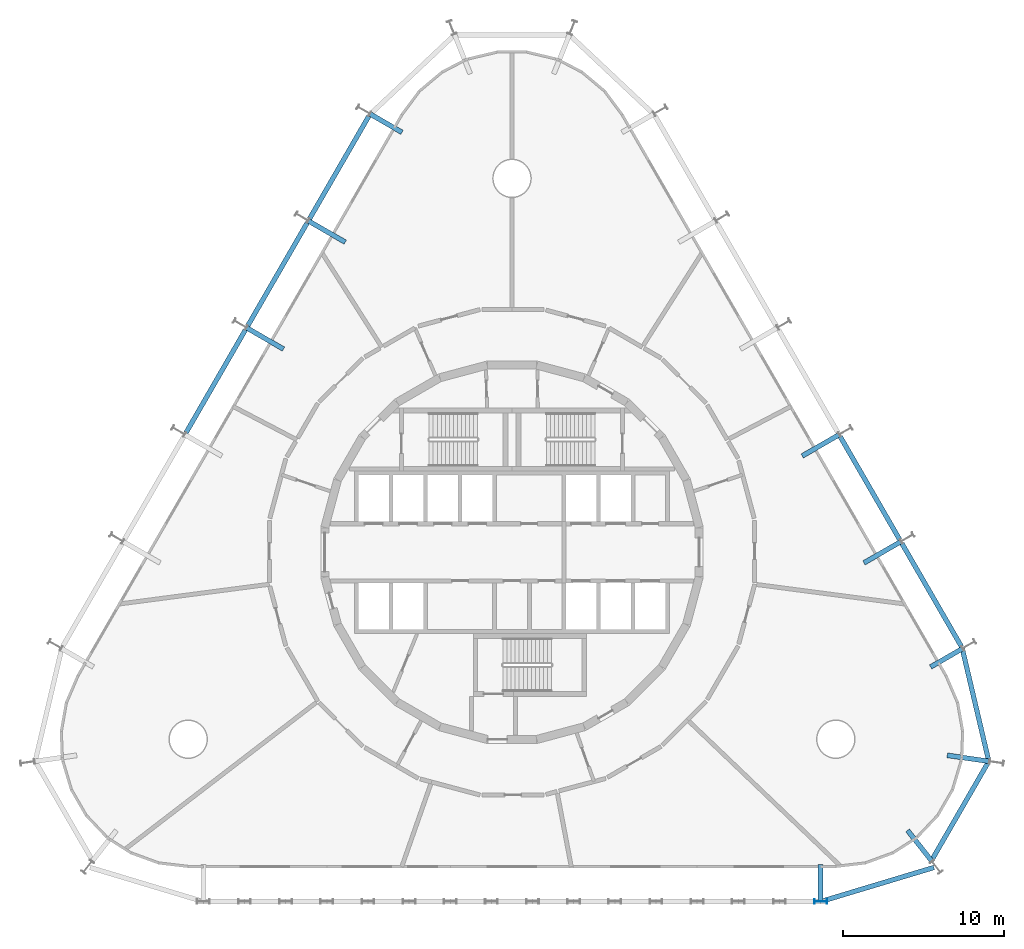
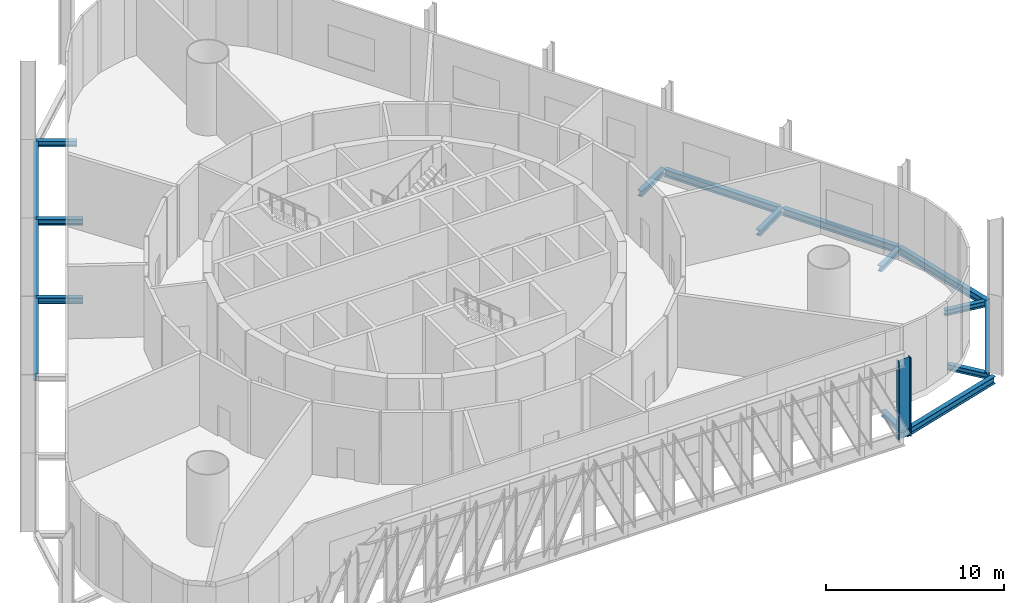
# One storey, part 3 of 11: 17 beams, 1 member.
"""IFC4 building model written with IfcOpenShell, lengths in metres."""

from ifc_helpers import new_model, si_unit, direction, frame, origin, origin_2d, place, context, subcontext, project, spatial, i_section, extrude, material, material_profile, profile_set, type_object, element, save


model = new_model("IFC4")

# Units and contexts
model_context = context("Model", 3, precision=1e-05, world=origin(), true_north=direction((0.0, 1.0)))
body_context = subcontext(model_context, "Body", "Model", "MODEL_VIEW")
ifc_project = project(units=[si_unit("LENGTHUNIT", "METRE"), si_unit("AREAUNIT", "SQUARE_METRE"), si_unit("VOLUMEUNIT", "CUBIC_METRE"), si_unit("PLANEANGLEUNIT", "RADIAN"), si_unit("MASSUNIT", "GRAM", prefix="KILO")], contexts=[model_context])

# Site, building, storey
site_placement = place(None, origin())
site = spatial("IfcSite", under=ifc_project, at=site_placement, CompositionType="ELEMENT")
building_placement = place(site_placement, origin())
building = spatial("IfcBuilding", under=site, at=building_placement, Name="Spindle Arch Residences", CompositionType="ELEMENT")
storey_placement = place(building_placement, frame((0.0, 0.0, 33.0)))
storey = spatial("IfcBuildingStorey", under=building, at=storey_placement, Name="L06", CompositionType="ELEMENT", Elevation=33.0)

# Member
ifc_material_1 = material(Name="Steel S460ML, intumescent coating R 240", Category="steel")
ifc_material_profile_1 = material_profile(ifc_material_1, i_section(OverallWidth=0.300048828125, OverallDepth=0.800048828125, WebThickness=0.017578125, FlangeThickness=0.032958984375, FilletRadius=0.030029296875, at=origin_2d()), Name="HEB 800")
ifc_profile_set_1 = profile_set([ifc_material_profile_1], Name="Steel S460ML, intumescent coating R 240")
member_type = type_object("IfcMemberType", Name="Arch truss post HEB 800", PredefinedType="POST", material=ifc_profile_set_1)
member_placement = place(storey_placement, frame((19.2001953125, -21.72998046875, -0.9541015625), z_axis=(0.0, 0.0, 1.0), x_axis=(0.0, 1.0, 0.0)))
element("IfcMember", 1, at=member_placement, inside=storey, type_object=member_type, Name="Transfer truss post L06 16", PredefinedType="POST", context=body_context, shape_type="SweptSolid", body=[
    extrude(i_section(OverallWidth=0.300048828125, OverallDepth=0.800048828125, WebThickness=0.017578125, FlangeThickness=0.032958984375, FilletRadius=0.030029296875, at=origin_2d()), origin(), (0.0, 0.0, 1.0), 5.400146484375),
])

# Beams
ifc_material_2 = material(Name="Steel S460ML, intumescent coating R 120", Category="steel")
ifc_material_profile_2 = material_profile(ifc_material_2, i_section(OverallWidth=0.300048828125, OverallDepth=0.5, WebThickness=0.014404296875, FlangeThickness=0.028076171875, FilletRadius=0.027099609375, at=origin_2d()), Name="HEB 500")
ifc_profile_set_2 = profile_set([ifc_material_profile_2], Name="Steel S460ML, intumescent coating R 120")
beam_type_1 = type_object("IfcBeamType", Name="Exoskeleton edge beam HEB 500", PredefinedType="BEAM", material=ifc_profile_set_2)
beam_1_placement = place(storey_placement, frame((19.34375, -21.686767578125, -0.699951171875), z_axis=(0.957555604333, 0.288248615972, 0.0), x_axis=(-0.288248615972, 0.957555604333, 0.0)))
element("IfcBeam", 2, at=beam_1_placement, inside=storey, type_object=beam_type_1, Name="Exoskeleton edge beam 3", PredefinedType="BEAM", context=body_context, shape_type="SweptSolid", body=[
    extrude(i_section(OverallWidth=0.300048828125, OverallDepth=0.5, WebThickness=0.014404296875, FlangeThickness=0.028076171875, FilletRadius=0.027099609375, at=origin_2d()), origin(), (0.0, 0.0, 1.0), 7.21044921875),
])
beam_2_placement = place(storey_placement, frame((26.06689453125, -19.227783203125, -0.699951171875), z_axis=(0.500025200273, 0.866010853911, 0.0), x_axis=(-0.866010853911, 0.500025200273, 0.0)))
element("IfcBeam", 3, at=beam_2_placement, inside=storey, type_object=beam_type_1, Name="Exoskeleton edge beam 4", PredefinedType="BEAM", context=body_context, shape_type="SweptSolid", body=[
    extrude(i_section(OverallWidth=0.300048828125, OverallDepth=0.5, WebThickness=0.014404296875, FlangeThickness=0.028076171875, FilletRadius=0.027099609375, at=origin_2d()), origin(), (0.0, 0.0, 1.0), 7.236572265625),
])
beam_3_placement = place(storey_placement, frame((29.668212890625, -13.03173828125, -0.699951171875), z_axis=(-0.229185730541, 0.973382710406, 0.0), x_axis=(-0.973382710406, -0.229185730541, 0.0)))
element("IfcBeam", 4, at=beam_3_placement, inside=storey, type_object=beam_type_1, Name="Exoskeleton edge beam 5", PredefinedType="BEAM", context=body_context, shape_type="SweptSolid", body=[
    extrude(i_section(OverallWidth=0.300048828125, OverallDepth=0.5, WebThickness=0.014404296875, FlangeThickness=0.028076171875, FilletRadius=0.027099609375, at=origin_2d()), origin(), (0.0, 0.0, 1.0), 7.25),
])
beam_4_placement = place(storey_placement, frame((27.964111328125, -5.875244140625, -0.699951171875), z_axis=(-0.50002815445, 0.866009148195, 0.0), x_axis=(-0.866009148195, -0.50002815445, 0.0)))
element("IfcBeam", 5, at=beam_4_placement, inside=storey, type_object=beam_type_1, Name="Exoskeleton edge beam 6", PredefinedType="BEAM", context=body_context, shape_type="SweptSolid", body=[
    extrude(i_section(OverallWidth=0.300048828125, OverallDepth=0.5, WebThickness=0.014404296875, FlangeThickness=0.028076171875, FilletRadius=0.027099609375, at=origin_2d()), origin(), (0.0, 0.0, 1.0), 7.419921875),
])
for number, where, z_axis, x_axis, name in (
    (6, (24.1240234375, 0.77587890625, -0.699951171875), (-0.49998923004, 0.866031621735, 0.0), (-0.866031621735, -0.49998923004, 0.0), "Exoskeleton edge beam 7"),
    (7, (-8.893798828125, 27.1552734375, -0.699951171875), (-0.5000139068, -0.866017374541, 0.0), (0.866017374541, -0.5000139068, 0.0), "Exoskeleton edge beam 14"),
    (8, (-12.73388671875, 20.504150390625, -0.699951171875), (-0.49998923004, -0.866031621735, 0.0), (0.866031621735, -0.49998923004, 0.0), "Exoskeleton edge beam 15"),
):
    element("IfcBeam", number, at=place(storey_placement, frame(where, z_axis=z_axis, x_axis=x_axis)), inside=storey, type_object=beam_type_1, Name=name, PredefinedType="BEAM", context=body_context, shape_type="SweptSolid", body=[
        extrude(i_section(OverallWidth=0.300048828125, OverallDepth=0.5, WebThickness=0.014404296875, FlangeThickness=0.028076171875, FilletRadius=0.027099609375, at=origin_2d()), origin(), (0.0, 0.0, 1.0), 7.420166015625),
    ])
beam_5_placement = place(storey_placement, frame((-16.573974609375, 13.852783203125, -0.699951171875), z_axis=(-0.500003477455, -0.866023396066, 0.0), x_axis=(0.866023396066, -0.500003477455, 0.0)))
element("IfcBeam", 9, at=beam_5_placement, inside=storey, type_object=beam_type_1, Name="Exoskeleton edge beam 16", PredefinedType="BEAM", context=body_context, shape_type="SweptSolid", body=[
    extrude(i_section(OverallWidth=0.300048828125, OverallDepth=0.5, WebThickness=0.014404296875, FlangeThickness=0.028076171875, FilletRadius=0.027099609375, at=origin_2d()), origin(), (0.0, 0.0, 1.0), 7.419921875),
])
ifc_material_3 = material(Name="Steel S460ML, intumescent coating R 120", Category="steel")
ifc_material_profile_3 = material_profile(ifc_material_3, i_section(OverallWidth=0.300048828125, OverallDepth=0.389892578125, WebThickness=0.010986328125, FlangeThickness=0.01904296875, FilletRadius=0.027099609375, at=origin_2d()), Name="HEA 400")
ifc_profile_set_3 = profile_set([ifc_material_profile_3], Name="Steel S460ML, intumescent coating R 120")
beam_type_2 = type_object("IfcBeamType", Name="Floor outrigger HEA 400", PredefinedType="BEAM", material=ifc_profile_set_3)
beam_6_placement = place(storey_placement, frame((19.2001953125, -21.72998046875, -0.64501953125), z_axis=(0.0, 1.0, 0.0), x_axis=(-1.0, 0.0, 0.0)))
element("IfcBeam", 10, at=beam_6_placement, inside=storey, type_object=beam_type_2, Name="Floor outrigger 3", PredefinedType="BEAM", context=body_context, shape_type="SweptSolid", body=[
    extrude(i_section(OverallWidth=0.300048828125, OverallDepth=0.389892578125, WebThickness=0.010986328125, FlangeThickness=0.01904296875, FilletRadius=0.027099609375, at=origin_2d()), origin(), (0.0, 0.0, 1.0), 2.313232421875),
])
beam_7_placement = place(storey_placement, frame((26.11328125, -19.211669921875, -0.64501953125), z_axis=(-0.618635993237, 0.785677737926, 0.0), x_axis=(-0.785677737926, -0.618635993237, 0.0)))
element("IfcBeam", 11, at=beam_7_placement, inside=storey, type_object=beam_type_2, Name="Floor outrigger 4", PredefinedType="BEAM", context=body_context, shape_type="SweptSolid", body=[
    extrude(i_section(OverallWidth=0.300048828125, OverallDepth=0.389892578125, WebThickness=0.010986328125, FlangeThickness=0.01904296875, FilletRadius=0.027099609375, at=origin_2d()), origin(), (0.0, 0.0, 1.0), 2.43505859375),
])
beam_8_placement = place(storey_placement, frame((29.694580078125, -13.009033203125, -0.64501953125), z_axis=(-0.989738348309, 0.142891573883, 0.0), x_axis=(-0.142891573883, -0.989738348309, 0.0)))
element("IfcBeam", 12, at=beam_8_placement, inside=storey, type_object=beam_type_2, Name="Floor outrigger 5", PredefinedType="BEAM", context=body_context, shape_type="SweptSolid", body=[
    extrude(i_section(OverallWidth=0.300048828125, OverallDepth=0.389892578125, WebThickness=0.010986328125, FlangeThickness=0.01904296875, FilletRadius=0.027099609375, at=origin_2d()), origin(), (0.0, 0.0, 1.0), 2.64990234375),
])
beam_9_placement = place(storey_placement, frame((28.029052734375, -5.98779296875, -0.64501953125), z_axis=(-0.866001280077, -0.50004178116, 0.0), x_axis=(0.50004178116, -0.866001280077, 0.0)))
element("IfcBeam", 13, at=beam_9_placement, inside=storey, type_object=beam_type_2, Name="Floor outrigger 6", PredefinedType="BEAM", context=body_context, shape_type="SweptSolid", body=[
    extrude(i_section(OverallWidth=0.300048828125, OverallDepth=0.389892578125, WebThickness=0.010986328125, FlangeThickness=0.01904296875, FilletRadius=0.027099609375, at=origin_2d()), origin(), (0.0, 0.0, 1.0), 2.294189453125),
])
beam_10_placement = place(storey_placement, frame((24.18896484375, 0.6630859375, -0.64501953125), z_axis=(-0.866029095148, -0.499993606316, 0.0), x_axis=(0.499993606316, -0.866029095148, 0.0)))
element("IfcBeam", 14, at=beam_10_placement, inside=storey, type_object=beam_type_2, Name="Floor outrigger 7", PredefinedType="BEAM", context=body_context, shape_type="SweptSolid", body=[
    extrude(i_section(OverallWidth=0.300048828125, OverallDepth=0.389892578125, WebThickness=0.010986328125, FlangeThickness=0.01904296875, FilletRadius=0.027099609375, at=origin_2d()), origin(), (0.0, 0.0, 1.0), 2.64990234375),
])
beam_11_placement = place(storey_placement, frame((20.34912109375, 7.314453125, -0.64501953125), z_axis=(-0.866052124492, -0.499953715521, 0.0), x_axis=(0.499953715521, -0.866052124492, 0.0)))
element("IfcBeam", 15, at=beam_11_placement, inside=storey, type_object=beam_type_2, Name="Floor outrigger 8", PredefinedType="BEAM", context=body_context, shape_type="SweptSolid", body=[
    extrude(i_section(OverallWidth=0.300048828125, OverallDepth=0.389892578125, WebThickness=0.010986328125, FlangeThickness=0.01904296875, FilletRadius=0.027099609375, at=origin_2d()), origin(), (0.0, 0.0, 1.0), 2.650146484375),
])
beam_12_placement = place(storey_placement, frame((-8.828857421875, 27.267822265625, -0.64501953125), z_axis=(0.866020755578, -0.500008050843, 0.0), x_axis=(0.500008050843, 0.866020755578, 0.0)))
element("IfcBeam", 16, at=beam_12_placement, inside=storey, type_object=beam_type_2, Name="Floor outrigger 14", PredefinedType="BEAM", context=body_context, shape_type="SweptSolid", body=[
    extrude(i_section(OverallWidth=0.300048828125, OverallDepth=0.389892578125, WebThickness=0.010986328125, FlangeThickness=0.01904296875, FilletRadius=0.027099609375, at=origin_2d()), origin(), (0.0, 0.0, 1.0), 2.2939453125),
])
for number, where, z_axis, x_axis, name in (
    (17, (-12.6689453125, 20.61669921875, -0.64501953125), (0.866052124492, -0.499953715521, 0.0), (0.499953715521, 0.866052124492, 0.0), "Floor outrigger 15"),
    (18, (-16.5087890625, 13.965576171875, -0.64501953125), (0.865989200783, -0.500062700197, 0.0), (0.500062700197, 0.865989200783, 0.0), "Floor outrigger 16"),
):
    element("IfcBeam", number, at=place(storey_placement, frame(where, z_axis=z_axis, x_axis=x_axis)), inside=storey, type_object=beam_type_2, Name=name, PredefinedType="BEAM", context=body_context, shape_type="SweptSolid", body=[
        extrude(i_section(OverallWidth=0.300048828125, OverallDepth=0.389892578125, WebThickness=0.010986328125, FlangeThickness=0.01904296875, FilletRadius=0.027099609375, at=origin_2d()), origin(), (0.0, 0.0, 1.0), 2.650146484375),
    ])

save(model, "model.ifc")
